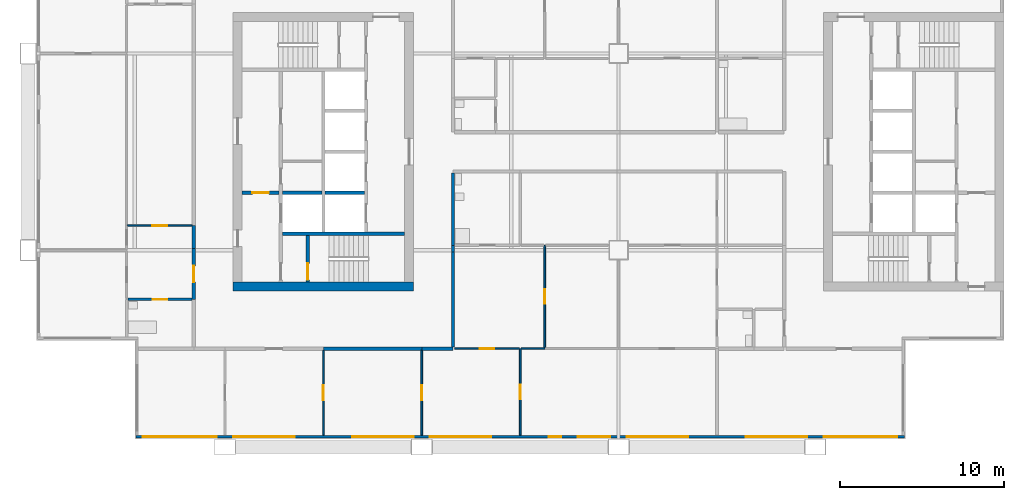
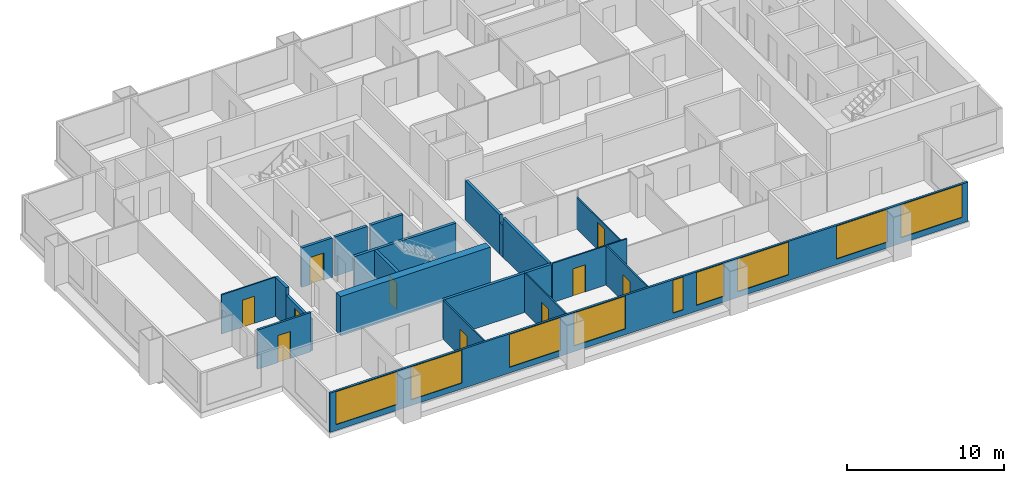
# One storey, part 2 of 9: 22 walls, 10 doors, 9 windows, 19 openings.
"""IFC4 building model written with IfcOpenShell, lengths in metres."""

from ifc_helpers import new_model, si_unit, direction, frame, frame_2d, origin, place, context, subcontext, project, spatial, rectangle, extrude, material, layer, layer_set, type_object, element, fill, save


model = new_model("IFC4")

# Units and contexts
model_context = context("Model", 3, precision=1e-05, world=origin(), true_north=direction((0.0, 1.0)))
body_context = subcontext(model_context, "Body", "Model", "MODEL_VIEW")
ifc_project = project(units=[si_unit("LENGTHUNIT", "METRE"), si_unit("AREAUNIT", "SQUARE_METRE"), si_unit("VOLUMEUNIT", "CUBIC_METRE"), si_unit("PLANEANGLEUNIT", "RADIAN"), si_unit("MASSUNIT", "GRAM", prefix="KILO")], contexts=[model_context])

# Site, building, storey
site_placement = place(None, origin())
site = spatial("IfcSite", under=ifc_project, at=site_placement, CompositionType="ELEMENT")
building_placement = place(site_placement, origin())
building = spatial("IfcBuilding", under=site, at=building_placement, Name="Kitamizu Gate Tower and Museum", CompositionType="ELEMENT")
storey_placement = place(building_placement, frame((0.0, 0.0, 182.39990234375)))
storey = spatial("IfcBuildingStorey", under=building, at=storey_placement, Name="L48", CompositionType="ELEMENT", Elevation=182.39990234375)

# Wall
ifc_material_1 = material(Name="Concrete Fc42", Category="concrete")
ifc_layer_1 = layer(ifc_material_1, 0.550048828125)
ifc_layer_set_1 = layer_set([ifc_layer_1], Name="Concrete Fc42")
wall_type_1 = type_object("IfcWallType", Name="Core wall 550", PredefinedType="SHEAR", material=ifc_layer_set_1)
wall_1_placement = place(storey_placement, frame((12.5, 21.77490234375, 0.0), z_axis=(0.0, 0.0, 1.0), x_axis=(1.0, 0.0, 0.0)))
element("IfcWall", 1, at=wall_1_placement, inside=storey, type_object=wall_type_1, Name="Core wall WS", PredefinedType="SHEAR", context=body_context, shape_type="SweptSolid", body=[
    extrude(rectangle(XDim=11.0, YDim=0.550048828125, at=frame_2d((5.5, 0.0))), origin(), (0.0, 0.0, 1.0), 3.050048828125),
])

# Wall, opening, door
ifc_material_2 = material(Name="Gypsum board on galvanised stud")
ifc_layer_2 = layer(ifc_material_2, 0.10009765625)
ifc_layer_set_2 = layer_set([ifc_layer_2], Name="Gypsum board on galvanised stud")
wall_type_2 = type_object("IfcWallType", Name="Partition 100 NOT RATED", PredefinedType="PARTITIONING", material=ifc_layer_set_2)
wall_2_placement = place(storey_placement, frame((18.0, 12.719970703125, 0.0), z_axis=(0.0, 0.0, 1.0), x_axis=(0.0, 1.0, 0.0)))
wall_2 = element("IfcWall", 2, at=wall_2_placement, inside=storey, type_object=wall_type_2, Name="Partition L48-004", PredefinedType="PARTITIONING", context=body_context, shape_type="SweptSolid", body=[
    extrude(rectangle(XDim=5.179931640625, YDim=0.10009765625, at=frame_2d((2.58984375, 0.0))), origin(), (0.0, 0.0, 1.0), 3.050048828125),
])
opening_1_placement = place(wall_2_placement, frame((2.139892578125, 0.0, 0.0)))
opening_1 = element("IfcOpeningElement", 3, at=opening_1_placement, cuts=wall_2, Name="Opening L48-003", PredefinedType="OPENING", context=body_context, shape_type="SweptSolid", body=[
    extrude(rectangle(XDim=0.89990234375, YDim=2.10009765625, at=frame_2d((0.449951171875, 1.050048828125))), frame((0.0, 0.06005859375, 0.0), z_axis=(0.0, -1.0, 0.0), x_axis=(1.0, 0.0, 0.0)), (0.0, 0.0, 1.0), 0.1201171875),
])
ifc_material_3 = material(Name="Timber door set", Category="wood")
door_type_1 = type_object("IfcDoorType", Name="Room door 900", OperationType="NOTDEFINED", PredefinedType="DOOR", material=ifc_material_3)
door_1_placement = place(opening_1_placement, frame((0.89990234375, 0.0, 0.0), x_axis=(-1.0, 0.0, 0.0)))
door_1 = element("IfcDoor", 4, at=door_1_placement, inside=storey, type_object=door_type_1, Name="Door L48-003", OperationType="SINGLE_SWING_LEFT", OverallHeight=2.10009765625, OverallWidth=0.89990234375, PredefinedType="DOOR", context=body_context, shape_type="SweptSolid", body=[
    extrude(rectangle(XDim=0.89990234375, YDim=2.10009765625, at=frame_2d((0.449951171875, 1.050048828125))), frame((0.0, 0.02490234375, 0.0), z_axis=(0.0, -1.0, 0.0), x_axis=(1.0, 0.0, 0.0)), (0.0, 0.0, 1.0), 0.050048828125),
])
fill(opening_1, door_1)

wall_3_placement = place(storey_placement, frame((24.0, 12.719970703125, 0.0), z_axis=(0.0, 0.0, 1.0), x_axis=(0.0, 1.0, 0.0)))
wall_3 = element("IfcWall", 5, at=wall_3_placement, inside=storey, type_object=wall_type_2, Name="Partition L48-006", PredefinedType="PARTITIONING", context=body_context, shape_type="SweptSolid", body=[
    extrude(rectangle(XDim=5.179931640625, YDim=0.10009765625, at=frame_2d((2.58984375, 0.0))), origin(), (0.0, 0.0, 1.0), 3.050048828125),
])
opening_2_placement = place(wall_3_placement, frame((2.139892578125, 0.0, 0.0)))
opening_2 = element("IfcOpeningElement", 6, at=opening_2_placement, cuts=wall_3, Name="Opening L48-004", PredefinedType="OPENING", context=body_context, shape_type="SweptSolid", body=[
    extrude(rectangle(XDim=0.89990234375, YDim=2.10009765625, at=frame_2d((0.449951171875, 1.050048828125))), frame((0.0, 0.06005859375, 0.0), z_axis=(0.0, -1.0, 0.0), x_axis=(1.0, 0.0, 0.0)), (0.0, 0.0, 1.0), 0.1201171875),
])
door_2_placement = place(opening_2_placement, origin())
door_2 = element("IfcDoor", 7, at=door_2_placement, inside=storey, type_object=door_type_1, Name="Door L48-004", OperationType="SINGLE_SWING_LEFT", OverallHeight=2.10009765625, OverallWidth=0.89990234375, PredefinedType="DOOR", context=body_context, shape_type="SweptSolid", body=[
    extrude(rectangle(XDim=0.89990234375, YDim=2.10009765625, at=frame_2d((0.449951171875, 1.050048828125))), frame((0.0, 0.02490234375, 0.0), z_axis=(0.0, -1.0, 0.0), x_axis=(1.0, 0.0, 0.0)), (0.0, 0.0, 1.0), 0.050048828125),
])
fill(opening_2, door_2)

wall_4_placement = place(storey_placement, frame((30.0, 12.719970703125, 0.0), z_axis=(0.0, 0.0, 1.0), x_axis=(0.0, 1.0, 0.0)))
wall_4 = element("IfcWall", 8, at=wall_4_placement, inside=storey, type_object=wall_type_2, Name="Partition L48-008", PredefinedType="PARTITIONING", context=body_context, shape_type="SweptSolid", body=[
    extrude(rectangle(XDim=5.280029296875, YDim=0.10009765625, at=frame_2d((2.64013671875, 0.0))), origin(), (0.0, 0.0, 1.0), 3.050048828125),
])
opening_3_placement = place(wall_4_placement, frame((2.18994140625, 0.0, 0.0)))
opening_3 = element("IfcOpeningElement", 9, at=opening_3_placement, cuts=wall_4, Name="Opening L48-005", PredefinedType="OPENING", context=body_context, shape_type="SweptSolid", body=[
    extrude(rectangle(XDim=0.89990234375, YDim=2.10009765625, at=frame_2d((0.449951171875, 1.050048828125))), frame((0.0, 0.06005859375, 0.0), z_axis=(0.0, -1.0, 0.0), x_axis=(1.0, 0.0, 0.0)), (0.0, 0.0, 1.0), 0.1201171875),
])
door_3_placement = place(opening_3_placement, origin())
door_3 = element("IfcDoor", 10, at=door_3_placement, inside=storey, type_object=door_type_1, Name="Door L48-005", OperationType="SINGLE_SWING_RIGHT", OverallHeight=2.10009765625, OverallWidth=0.89990234375, PredefinedType="DOOR", context=body_context, shape_type="SweptSolid", body=[
    extrude(rectangle(XDim=0.89990234375, YDim=2.10009765625, at=frame_2d((0.449951171875, 1.050048828125))), frame((0.0, 0.02490234375, 0.0), z_axis=(0.0, -1.0, 0.0), x_axis=(1.0, 0.0, 0.0)), (0.0, 0.0, 1.0), 0.050048828125),
])
fill(opening_3, door_3)

wall_5_placement = place(storey_placement, frame((29.949951171875, 18.0, 0.0), z_axis=(0.0, 0.0, 1.0), x_axis=(-1.0, 0.0, 0.0)))
wall_5 = element("IfcWall", 11, at=wall_5_placement, inside=storey, type_object=wall_type_2, Name="Partition L48-009", PredefinedType="PARTITIONING", context=body_context, shape_type="SweptSolid", body=[
    extrude(rectangle(XDim=3.949951171875, YDim=0.10009765625, at=frame_2d((1.97509765625, 0.0))), origin(), (0.0, 0.0, 1.0), 3.050048828125),
])
opening_4_placement = place(wall_5_placement, frame((1.52490234375, 0.0, 0.0)))
opening_4 = element("IfcOpeningElement", 12, at=opening_4_placement, cuts=wall_5, Name="Opening L48-006", PredefinedType="OPENING", context=body_context, shape_type="SweptSolid", body=[
    extrude(rectangle(XDim=0.89990234375, YDim=2.10009765625, at=frame_2d((0.449951171875, 1.050048828125))), frame((0.0, 0.06005859375, 0.0), z_axis=(0.0, -1.0, 0.0), x_axis=(1.0, 0.0, 0.0)), (0.0, 0.0, 1.0), 0.1201171875),
])
door_4_placement = place(opening_4_placement, origin())
door_4 = element("IfcDoor", 13, at=door_4_placement, inside=storey, type_object=door_type_1, Name="Door L48-006", OperationType="SINGLE_SWING_LEFT", OverallHeight=2.10009765625, OverallWidth=0.89990234375, PredefinedType="DOOR", context=body_context, shape_type="SweptSolid", body=[
    extrude(rectangle(XDim=0.89990234375, YDim=2.10009765625, at=frame_2d((0.449951171875, 1.050048828125))), frame((0.0, 0.02490234375, 0.0), z_axis=(0.0, -1.0, 0.0), x_axis=(1.0, 0.0, 0.0)), (0.0, 0.0, 1.0), 0.050048828125),
])
fill(opening_4, door_4)

# Wall
wall_6_placement = place(storey_placement, frame((31.5, 18.0, 0.0), z_axis=(0.0, 0.0, 1.0), x_axis=(-1.0, 0.0, 0.0)))
element("IfcWall", 14, at=wall_6_placement, inside=storey, type_object=wall_type_2, Name="Partition L48-011", PredefinedType="PARTITIONING", context=body_context, shape_type="SweptSolid", body=[
    extrude(rectangle(XDim=1.449951171875, YDim=0.10009765625, at=frame_2d((0.72509765625, 0.0))), origin(), (0.0, 0.0, 1.0), 3.050048828125),
])

# Wall, opening, door
wall_7_placement = place(storey_placement, frame((31.5, 18.050048828125, 0.0), z_axis=(0.0, 0.0, 1.0), x_axis=(0.0, 1.0, 0.0)))
wall_7 = element("IfcWall", 15, at=wall_7_placement, inside=storey, type_object=wall_type_2, Name="Partition L48-015", PredefinedType="PARTITIONING", context=body_context, shape_type="SweptSolid", body=[
    extrude(rectangle(XDim=6.25, YDim=0.10009765625, at=frame_2d((3.125, 0.0))), origin(), (0.0, 0.0, 1.0), 2.4501953125),
])
opening_5_placement = place(wall_7_placement, frame((2.675048828125, 0.0, 0.0)))
opening_5 = element("IfcOpeningElement", 16, at=opening_5_placement, cuts=wall_7, Name="Opening L48-007", PredefinedType="OPENING", context=body_context, shape_type="SweptSolid", body=[
    extrude(rectangle(XDim=0.89990234375, YDim=2.10009765625, at=frame_2d((0.449951171875, 1.050048828125))), frame((0.0, 0.06005859375, 0.0), z_axis=(0.0, -1.0, 0.0), x_axis=(1.0, 0.0, 0.0)), (0.0, 0.0, 1.0), 0.1201171875),
])
door_5_placement = place(opening_5_placement, frame((0.89990234375, 0.0, 0.0), x_axis=(-1.0, 0.0, 0.0)))
door_5 = element("IfcDoor", 17, at=door_5_placement, inside=storey, type_object=door_type_1, Name="Door L48-007", OperationType="SINGLE_SWING_LEFT", OverallHeight=2.10009765625, OverallWidth=0.89990234375, PredefinedType="DOOR", context=body_context, shape_type="SweptSolid", body=[
    extrude(rectangle(XDim=0.89990234375, YDim=2.10009765625, at=frame_2d((0.449951171875, 1.050048828125))), frame((0.0, 0.02490234375, 0.0), z_axis=(0.0, -1.0, 0.0), x_axis=(1.0, 0.0, 0.0)), (0.0, 0.0, 1.0), 0.050048828125),
])
fill(opening_5, door_5)

wall_8_placement = place(storey_placement, frame((10.0, 25.5, 0.0), z_axis=(0.0, 0.0, 1.0), x_axis=(-1.0, 0.0, 0.0)))
wall_8 = element("IfcWall", 18, at=wall_8_placement, inside=storey, type_object=wall_type_2, Name="Partition L48-089", PredefinedType="PARTITIONING", context=body_context, shape_type="SweptSolid", body=[
    extrude(rectangle(XDim=3.949951171875, YDim=0.10009765625, at=frame_2d((1.97509765625, 0.0))), origin(), (0.0, 0.0, 1.0), 3.050048828125),
])
opening_6_placement = place(wall_8_placement, frame((1.52490234375, 0.0, 0.0)))
opening_6 = element("IfcOpeningElement", 19, at=opening_6_placement, cuts=wall_8, Name="Opening L48-031", PredefinedType="OPENING", context=body_context, shape_type="SweptSolid", body=[
    extrude(rectangle(XDim=0.89990234375, YDim=2.10009765625, at=frame_2d((0.449951171875, 1.050048828125))), frame((0.0, 0.06005859375, 0.0), z_axis=(0.0, -1.0, 0.0), x_axis=(1.0, 0.0, 0.0)), (0.0, 0.0, 1.0), 0.1201171875),
])
door_6_placement = place(opening_6_placement, origin())
door_6 = element("IfcDoor", 20, at=door_6_placement, inside=storey, type_object=door_type_1, Name="Door L48-031", OperationType="SINGLE_SWING_LEFT", OverallHeight=2.10009765625, OverallWidth=0.89990234375, PredefinedType="DOOR", context=body_context, shape_type="SweptSolid", body=[
    extrude(rectangle(XDim=0.89990234375, YDim=2.10009765625, at=frame_2d((0.449951171875, 1.050048828125))), frame((0.0, 0.02490234375, 0.0), z_axis=(0.0, -1.0, 0.0), x_axis=(1.0, 0.0, 0.0)), (0.0, 0.0, 1.0), 0.050048828125),
])
fill(opening_6, door_6)

ifc_material_4 = material(Name="Gypsum board on galvanised stud")
ifc_layer_3 = layer(ifc_material_4, 0.14990234375)
ifc_layer_set_3 = layer_set([ifc_layer_3], Name="Gypsum board on galvanised stud")
wall_type_3 = type_object("IfcWallType", Name="Partition 150", PredefinedType="PARTITIONING", material=ifc_layer_set_3)
wall_9_placement = place(storey_placement, frame((10.0, 21.0, 0.0), z_axis=(0.0, 0.0, 1.0), x_axis=(-1.0, 0.0, 0.0)))
wall_9 = element("IfcWall", 21, at=wall_9_placement, inside=storey, type_object=wall_type_3, Name="Partition L48-087", PredefinedType="PARTITIONING", context=body_context, shape_type="SweptSolid", body=[
    extrude(rectangle(XDim=3.925048828125, YDim=0.14990234375, at=frame_2d((1.96240234375, 0.0))), origin(), (0.0, 0.0, 1.0), 3.050048828125),
])
opening_7_placement = place(wall_9_placement, frame((1.512451171875, 0.0, 0.0)))
opening_7 = element("IfcOpeningElement", 22, at=opening_7_placement, cuts=wall_9, Name="Opening L48-033", PredefinedType="OPENING", context=body_context, shape_type="SweptSolid", body=[
    extrude(rectangle(XDim=0.89990234375, YDim=2.10009765625, at=frame_2d((0.449951171875, 1.050048828125))), frame((0.0, 0.0849609375, 0.0), z_axis=(0.0, -1.0, 0.0), x_axis=(1.0, 0.0, 0.0)), (0.0, 0.0, 1.0), 0.169921875),
])
ifc_material_5 = material(Name="Timber door set", Category="wood")
door_type_2 = type_object("IfcDoorType", Name="Bathroom door 900", OperationType="NOTDEFINED", PredefinedType="DOOR", material=ifc_material_5)
door_7_placement = place(opening_7_placement, origin())
door_7 = element("IfcDoor", 23, at=door_7_placement, inside=storey, type_object=door_type_2, Name="Bathroom door L48-033", OperationType="SINGLE_SWING_LEFT", OverallHeight=2.10009765625, OverallWidth=0.89990234375, PredefinedType="DOOR", context=body_context, shape_type="SweptSolid", body=[
    extrude(rectangle(XDim=0.89990234375, YDim=2.10009765625, at=frame_2d((0.449951171875, 1.050048828125))), frame((0.0, 0.02490234375, 0.0), z_axis=(0.0, -1.0, 0.0), x_axis=(1.0, 0.0, 0.0)), (0.0, 0.0, 1.0), 0.050048828125),
])
fill(opening_7, door_7)

# Walls
ifc_material_6 = material(Name="Gypsum board on galvanised stud")
ifc_layer_4 = layer(ifc_material_6, 0.199951171875)
ifc_layer_set_4 = layer_set([ifc_layer_4], Name="Gypsum board on galvanised stud")
wall_type_4 = type_object("IfcWallType", Name="Partition 200", PredefinedType="PARTITIONING", material=ifc_layer_set_4)
wall_10_placement = place(storey_placement, frame((24.0, 18.0, 0.0), z_axis=(0.0, 0.0, 1.0), x_axis=(-1.0, 0.0, 0.0)))
element("IfcWall", 24, at=wall_10_placement, inside=storey, type_object=wall_type_4, Name="Partition L48-007", PredefinedType="PARTITIONING", context=body_context, shape_type="SweptSolid", body=[
    extrude(rectangle(XDim=6.0, YDim=0.199951171875, at=frame_2d((3.0, 0.0))), origin(), (0.0, 0.0, 1.0), 3.050048828125),
])
wall_11_placement = place(storey_placement, frame((25.89990234375, 18.0, 0.0), z_axis=(0.0, 0.0, 1.0), x_axis=(-1.0, 0.0, 0.0)))
element("IfcWall", 25, at=wall_11_placement, inside=storey, type_object=wall_type_4, Name="Partition L48-010", PredefinedType="PARTITIONING", context=body_context, shape_type="SweptSolid", body=[
    extrude(rectangle(XDim=1.89990234375, YDim=0.199951171875, at=frame_2d((0.949951171875, 0.0))), origin(), (0.0, 0.0, 1.0), 3.050048828125),
])
wall_12_placement = place(storey_placement, frame((25.89990234375, 24.300048828125, 0.0), z_axis=(0.0, 0.0, 1.0), x_axis=(0.0, -1.0, 0.0)))
element("IfcWall", 26, at=wall_12_placement, inside=storey, type_object=wall_type_4, Name="Partition L48-018", PredefinedType="PARTITIONING", context=body_context, shape_type="SweptSolid", body=[
    extrude(rectangle(XDim=0.400146484375, YDim=0.199951171875, at=frame_2d((0.2001953125, 0.0))), origin(), (0.0, 0.0, 1.0), 2.4501953125),
])
wall_13_placement = place(storey_placement, frame((25.89990234375, 23.89990234375, 0.0), z_axis=(0.0, 0.0, 1.0), x_axis=(0.0, -1.0, 0.0)))
element("IfcWall", 27, at=wall_13_placement, inside=storey, type_object=wall_type_4, Name="Partition L48-019", PredefinedType="PARTITIONING", context=body_context, shape_type="SweptSolid", body=[
    extrude(rectangle(XDim=5.7998046875, YDim=0.199951171875, at=frame_2d((2.89990234375, 0.0))), origin(), (0.0, 0.0, 1.0), 3.050048828125),
])
wall_14_placement = place(storey_placement, frame((25.89990234375, 28.699951171875, 0.0), z_axis=(0.0, 0.0, 1.0), x_axis=(0.0, -1.0, 0.0)))
element("IfcWall", 28, at=wall_14_placement, inside=storey, type_object=wall_type_4, Name="Partition L48-027", PredefinedType="PARTITIONING", context=body_context, shape_type="SweptSolid", body=[
    extrude(rectangle(XDim=4.39990234375, YDim=0.199951171875, at=frame_2d((2.199951171875, 0.0))), origin(), (0.0, 0.0, 1.0), 3.050048828125),
])

# Wall, opening, door
wall_15_placement = place(storey_placement, frame((10.10009765625, 21.0, 0.0), z_axis=(0.0, 0.0, 1.0), x_axis=(0.0, 1.0, 0.0)))
wall_15 = element("IfcWall", 29, at=wall_15_placement, inside=storey, type_object=wall_type_4, Name="Partition L48-090", PredefinedType="PARTITIONING", context=body_context, shape_type="SweptSolid", body=[
    extrude(rectangle(XDim=3.10009765625, YDim=0.199951171875, at=frame_2d((1.550048828125, 0.0))), origin(), (0.0, 0.0, 1.0), 2.4501953125),
])
opening_8_placement = place(wall_15_placement, frame((1.050048828125, 0.0, 0.0)))
opening_8 = element("IfcOpeningElement", 30, at=opening_8_placement, cuts=wall_15, Name="Opening L48-028", PredefinedType="OPENING", context=body_context, shape_type="SweptSolid", body=[
    extrude(rectangle(XDim=1.0, YDim=2.10009765625, at=frame_2d((0.5, 1.050048828125))), frame((0.0, 0.10986328125, 0.0), z_axis=(0.0, -1.0, 0.0), x_axis=(1.0, 0.0, 0.0)), (0.0, 0.0, 1.0), 0.219970703125),
])
ifc_material_7 = material(Name="Timber door set", Category="wood")
door_type_3 = type_object("IfcDoorType", Name="Flat entrance door 1000", OperationType="NOTDEFINED", PredefinedType="DOOR", material=ifc_material_7)
door_8_placement = place(opening_8_placement, origin())
door_8 = element("IfcDoor", 31, at=door_8_placement, inside=storey, type_object=door_type_3, Name="Flat entrance door L48-028", OperationType="SINGLE_SWING_RIGHT", OverallHeight=2.10009765625, OverallWidth=1.0, PredefinedType="DOOR", context=body_context, shape_type="SweptSolid", body=[
    extrude(rectangle(XDim=1.0, YDim=2.10009765625, at=frame_2d((0.5, 1.050048828125))), frame((0.0, 0.02490234375, 0.0), z_axis=(0.0, -1.0, 0.0), x_axis=(1.0, 0.0, 0.0)), (0.0, 0.0, 1.0), 0.050048828125),
])
fill(opening_8, door_8)

# Walls
wall_16_placement = place(storey_placement, frame((10.10009765625, 24.10009765625, 0.0), z_axis=(0.0, 0.0, 1.0), x_axis=(0.0, 1.0, 0.0)))
element("IfcWall", 32, at=wall_16_placement, inside=storey, type_object=wall_type_4, Name="Partition L48-091", PredefinedType="PARTITIONING", context=body_context, shape_type="SweptSolid", body=[
    extrude(rectangle(XDim=1.39990234375, YDim=0.199951171875, at=frame_2d((0.699951171875, 0.0))), origin(), (0.0, 0.0, 1.0), 3.050048828125),
])
ifc_material_8 = material(Name="Concrete Fc42", Category="concrete")
ifc_layer_5 = layer(ifc_material_8, 0.199951171875)
ifc_layer_set_5 = layer_set([ifc_layer_5], Name="Concrete Fc42")
wall_type_5 = type_object("IfcWallType", Name="Shaft wall 200", PredefinedType="SOLIDWALL", material=ifc_layer_set_5)
wall_17_placement = place(storey_placement, frame((15.5, 25.0, 0.0), z_axis=(0.0, 0.0, 1.0), x_axis=(1.0, 0.0, 0.0)))
element("IfcWall", 33, at=wall_17_placement, inside=storey, type_object=wall_type_5, Name="Shaft wall WSB", PredefinedType="SOLIDWALL", context=body_context, shape_type="SweptSolid", body=[
    extrude(rectangle(XDim=7.449951171875, YDim=0.199951171875, at=frame_2d((3.72509765625, 0.0))), origin(), (0.0, 0.0, 1.0), 3.050048828125),
])

# Wall, opening, door
wall_18_placement = place(storey_placement, frame((13.050048828125, 27.5, 0.0), z_axis=(0.0, 0.0, 1.0), x_axis=(1.0, 0.0, 0.0)))
wall_18 = element("IfcWall", 34, at=wall_18_placement, inside=storey, type_object=wall_type_5, Name="Shaft wall WFFN", PredefinedType="SOLIDWALL", context=body_context, shape_type="SweptSolid", body=[
    extrude(rectangle(XDim=2.25, YDim=0.199951171875, at=frame_2d((1.125, 0.0))), origin(), (0.0, 0.0, 1.0), 3.050048828125),
])
opening_9_placement = place(wall_18_placement, frame((0.625, 0.0, 0.0)))
opening_9 = element("IfcOpeningElement", 35, at=opening_9_placement, cuts=wall_18, Name="Opening L48-045", PredefinedType="OPENING", context=body_context, shape_type="SweptSolid", body=[
    extrude(rectangle(XDim=1.0, YDim=2.10009765625, at=frame_2d((0.5, 1.050048828125))), frame((0.0, 0.10986328125, 0.0), z_axis=(0.0, -1.0, 0.0), x_axis=(1.0, 0.0, 0.0)), (0.0, 0.0, 1.0), 0.219970703125),
])
ifc_material_9 = material(Name="Hollow metal door set")
door_type_4 = type_object("IfcDoorType", Name="Fire door 1000", OperationType="NOTDEFINED", PredefinedType="DOOR", material=ifc_material_9)
door_9_placement = place(opening_9_placement, frame((1.0, 0.0, 0.0), x_axis=(-1.0, 0.0, 0.0)))
door_9 = element("IfcDoor", 36, at=door_9_placement, inside=storey, type_object=door_type_4, Name="Fire-fighting lobby door L48-045", OperationType="SINGLE_SWING_RIGHT", OverallHeight=2.10009765625, OverallWidth=1.0, PredefinedType="DOOR", context=body_context, shape_type="SweptSolid", body=[
    extrude(rectangle(XDim=1.0, YDim=2.10009765625, at=frame_2d((0.5, 1.050048828125))), frame((0.0, 0.02490234375, 0.0), z_axis=(0.0, -1.0, 0.0), x_axis=(1.0, 0.0, 0.0)), (0.0, 0.0, 1.0), 0.050048828125),
])
fill(opening_9, door_9)

wall_19_placement = place(storey_placement, frame((17.050048828125, 22.050048828125, 0.0), z_axis=(0.0, 0.0, 1.0), x_axis=(0.0, 1.0, 0.0)))
wall_19 = element("IfcWall", 37, at=wall_19_placement, inside=storey, type_object=wall_type_5, Name="Shaft wall WSZ", PredefinedType="SOLIDWALL", context=body_context, shape_type="SweptSolid", body=[
    extrude(rectangle(XDim=2.849853515625, YDim=0.199951171875, at=frame_2d((1.4248046875, 0.0))), origin(), (0.0, 0.0, 1.0), 3.050048828125),
])
opening_10_placement = place(wall_19_placement, frame((0.14990234375, 0.0, 0.0)))
opening_10 = element("IfcOpeningElement", 38, at=opening_10_placement, cuts=wall_19, Name="Opening L48-041", PredefinedType="OPENING", context=body_context, shape_type="SweptSolid", body=[
    extrude(rectangle(XDim=1.0, YDim=2.10009765625, at=frame_2d((0.5, 1.050048828125))), frame((0.0, 0.10986328125, 0.0), z_axis=(0.0, -1.0, 0.0), x_axis=(1.0, 0.0, 0.0)), (0.0, 0.0, 1.0), 0.219970703125),
])
door_10_placement = place(opening_10_placement, frame((1.0, 0.0, 0.0), x_axis=(-1.0, 0.0, 0.0)))
door_10 = element("IfcDoor", 39, at=door_10_placement, inside=storey, type_object=door_type_4, Name="Stair door L48-041", OperationType="SINGLE_SWING_LEFT", OverallHeight=2.10009765625, OverallWidth=1.0, PredefinedType="DOOR", context=body_context, shape_type="SweptSolid", body=[
    extrude(rectangle(XDim=1.0, YDim=2.10009765625, at=frame_2d((0.5, 1.050048828125))), frame((0.0, 0.02490234375, 0.0), z_axis=(0.0, -1.0, 0.0), x_axis=(1.0, 0.0, 0.0)), (0.0, 0.0, 1.0), 0.050048828125),
])
fill(opening_10, door_10)

# Walls
for number, where, z_axis, x_axis, name in (
    (40, (15.5, 27.5, 0.0), (0.0, 0.0, 1.0), (1.0, 0.0, 0.0), "Shaft wall WDVW0"),
    (41, (18.10009765625, 27.5, 0.0), (0.0, 0.0, 1.0), (1.0, 0.0, 0.0), "Shaft wall WDVE0"),
):
    element("IfcWall", number, at=place(storey_placement, frame(where, z_axis=z_axis, x_axis=x_axis)), inside=storey, type_object=wall_type_5, Name=name, PredefinedType="SOLIDWALL", context=body_context, shape_type="SweptSolid", body=[
        extrude(rectangle(XDim=2.39990234375, YDim=0.199951171875, at=frame_2d((1.199951171875, 0.0))), origin(), (0.0, 0.0, 1.0), 3.050048828125),
    ])

# Wall, openings, windows
ifc_material_10 = material(Name="Bronze anodised aluminium frame with insulated spandrel and tinted glass", Category="aluminium")
ifc_layer_6 = layer(ifc_material_10, 0.14990234375)
ifc_layer_set_6 = layer_set([ifc_layer_6], Name="Bronze anodised aluminium frame with insulated spandrel and tinted glass")
wall_type_6 = type_object("IfcWallType", Name="WINDOW WALL 150 BRONZE FRAME EI 30", PredefinedType="ELEMENTEDWALL", material=ifc_layer_set_6)
wall_20_placement = place(storey_placement, frame((6.56005859375, 12.635009765625, 0.0), z_axis=(0.0, 0.0, 1.0), x_axis=(1.0, 0.0, 0.0)))
wall_20 = element("IfcWall", 42, at=wall_20_placement, inside=storey, type_object=wall_type_6, Name="Window wall south L48", PredefinedType="ELEMENTEDWALL", context=body_context, shape_type="SweptSolid", body=[
    extrude(rectangle(XDim=46.8798828125, YDim=0.14990234375, at=frame_2d((23.43994140625, 0.0))), origin(), (0.0, 0.0, 1.0), 3.050048828125),
])
opening_11_placement = place(wall_20_placement, frame((0.43994140625, 0.0, 0.449951171875)))
opening_11 = element("IfcOpeningElement", 43, at=opening_11_placement, cuts=wall_20, Name="Opening W15", PredefinedType="OPENING", context=body_context, shape_type="SweptSolid", body=[
    extrude(rectangle(XDim=4.5, YDim=2.550048828125, at=frame_2d((2.25, 1.27490234375))), frame((0.0, 0.0849609375, 0.0), z_axis=(0.0, -1.0, 0.0), x_axis=(1.0, 0.0, 0.0)), (0.0, 0.0, 1.0), 0.169921875),
])
opening_12_placement = place(wall_20_placement, frame((5.93994140625, 0.0, 0.449951171875)))
opening_12 = element("IfcOpeningElement", 44, at=opening_12_placement, cuts=wall_20, Name="Opening W36", PredefinedType="OPENING", context=body_context, shape_type="SweptSolid", body=[
    extrude(rectangle(XDim=3.75, YDim=2.550048828125, at=frame_2d((1.875, 1.27490234375))), frame((0.0, 0.0849609375, 0.0), z_axis=(0.0, -1.0, 0.0), x_axis=(1.0, 0.0, 0.0)), (0.0, 0.0, 1.0), 0.169921875),
])
opening_13_placement = place(wall_20_placement, frame((13.18994140625, 0.0, 0.449951171875)))
opening_13 = element("IfcOpeningElement", 45, at=opening_13_placement, cuts=wall_20, Name="Opening W36", PredefinedType="OPENING", context=body_context, shape_type="SweptSolid", body=[
    extrude(rectangle(XDim=3.75, YDim=2.550048828125, at=frame_2d((1.875, 1.27490234375))), frame((0.0, 0.0849609375, 0.0), z_axis=(0.0, -1.0, 0.0), x_axis=(1.0, 0.0, 0.0)), (0.0, 0.0, 1.0), 0.169921875),
])
opening_14_placement = place(wall_20_placement, frame((17.93994140625, 0.0, 0.449951171875)))
opening_14 = element("IfcOpeningElement", 46, at=opening_14_placement, cuts=wall_20, Name="Opening W36", PredefinedType="OPENING", context=body_context, shape_type="SweptSolid", body=[
    extrude(rectangle(XDim=3.75, YDim=2.550048828125, at=frame_2d((1.875, 1.27490234375))), frame((0.0, 0.0849609375, 0.0), z_axis=(0.0, -1.0, 0.0), x_axis=(1.0, 0.0, 0.0)), (0.0, 0.0, 1.0), 0.169921875),
])
opening_15_placement = place(wall_20_placement, frame((25.18994140625, 0.0, 0.449951171875)))
opening_15 = element("IfcOpeningElement", 47, at=opening_15_placement, cuts=wall_20, Name="Opening W25", PredefinedType="OPENING", context=body_context, shape_type="SweptSolid", body=[
    extrude(rectangle(XDim=0.75, YDim=2.550048828125, at=frame_2d((0.375, 1.27490234375))), frame((0.0, 0.0849609375, 0.0), z_axis=(0.0, -1.0, 0.0), x_axis=(1.0, 0.0, 0.0)), (0.0, 0.0, 1.0), 0.169921875),
])
opening_16_placement = place(wall_20_placement, frame((26.93994140625, 0.0, 0.449951171875)))
opening_16 = element("IfcOpeningElement", 48, at=opening_16_placement, cuts=wall_20, Name="Opening W2", PredefinedType="OPENING", context=body_context, shape_type="SweptSolid", body=[
    extrude(rectangle(XDim=2.0, YDim=2.550048828125, at=frame_2d((1.0, 1.27490234375))), frame((0.0, 0.0849609375, 0.0), z_axis=(0.0, -1.0, 0.0), x_axis=(1.0, 0.0, 0.0)), (0.0, 0.0, 1.0), 0.169921875),
])
opening_17_placement = place(wall_20_placement, frame((29.93994140625, 0.0, 0.449951171875)))
opening_17 = element("IfcOpeningElement", 49, at=opening_17_placement, cuts=wall_20, Name="Opening W36", PredefinedType="OPENING", context=body_context, shape_type="SweptSolid", body=[
    extrude(rectangle(XDim=3.75, YDim=2.550048828125, at=frame_2d((1.875, 1.27490234375))), frame((0.0, 0.0849609375, 0.0), z_axis=(0.0, -1.0, 0.0), x_axis=(1.0, 0.0, 0.0)), (0.0, 0.0, 1.0), 0.169921875),
])
opening_18_placement = place(wall_20_placement, frame((37.18994140625, 0.0, 0.449951171875)))
opening_18 = element("IfcOpeningElement", 50, at=opening_18_placement, cuts=wall_20, Name="Opening W36", PredefinedType="OPENING", context=body_context, shape_type="SweptSolid", body=[
    extrude(rectangle(XDim=3.75, YDim=2.550048828125, at=frame_2d((1.875, 1.27490234375))), frame((0.0, 0.0849609375, 0.0), z_axis=(0.0, -1.0, 0.0), x_axis=(1.0, 0.0, 0.0)), (0.0, 0.0, 1.0), 0.169921875),
])
opening_19_placement = place(wall_20_placement, frame((41.93994140625, 0.0, 0.449951171875)))
opening_19 = element("IfcOpeningElement", 51, at=opening_19_placement, cuts=wall_20, Name="Opening W15", PredefinedType="OPENING", context=body_context, shape_type="SweptSolid", body=[
    extrude(rectangle(XDim=4.5, YDim=2.550048828125, at=frame_2d((2.25, 1.27490234375))), frame((0.0, 0.0849609375, 0.0), z_axis=(0.0, -1.0, 0.0), x_axis=(1.0, 0.0, 0.0)), (0.0, 0.0, 1.0), 0.169921875),
])
ifc_material_11 = material(Name="Bronze anodised aluminium frame, tinted triple glazing", Category="aluminium")
window_type_1 = type_object("IfcWindowType", Name="WINDOW 2000 x 2550 SILL 450", PartitioningType="SINGLE_PANEL", PredefinedType="WINDOW", material=ifc_material_11)
window_1_placement = place(opening_16_placement, origin())
window_1 = element("IfcWindow", 52, at=window_1_placement, inside=storey, type_object=window_type_1, Name="Window W2 L48", OverallHeight=2.550048828125, OverallWidth=2.0, PartitioningType="SINGLE_PANEL", PredefinedType="WINDOW", context=body_context, shape_type="SweptSolid", body=[
    extrude(rectangle(XDim=2.0, YDim=2.550048828125, at=frame_2d((1.0, 1.27490234375))), frame((0.0, 0.030029296875, 0.0), z_axis=(0.0, -1.0, 0.0), x_axis=(1.0, 0.0, 0.0)), (0.0, 0.0, 1.0), 0.06005859375),
])
fill(opening_16, window_1)
ifc_material_12 = material(Name="Bronze anodised aluminium frame, tinted triple glazing", Category="aluminium")
window_type_2 = type_object("IfcWindowType", Name="WINDOW 3750 x 2550 SILL 450", PartitioningType="SINGLE_PANEL", PredefinedType="WINDOW", material=ifc_material_12)
window_2_placement = place(opening_12_placement, origin())
window_2 = element("IfcWindow", 53, at=window_2_placement, inside=storey, type_object=window_type_2, Name="Window W36 L48", OverallHeight=2.550048828125, OverallWidth=3.75, PartitioningType="SINGLE_PANEL", PredefinedType="WINDOW", context=body_context, shape_type="SweptSolid", body=[
    extrude(rectangle(XDim=3.75, YDim=2.550048828125, at=frame_2d((1.875, 1.27490234375))), frame((0.0, 0.030029296875, 0.0), z_axis=(0.0, -1.0, 0.0), x_axis=(1.0, 0.0, 0.0)), (0.0, 0.0, 1.0), 0.06005859375),
])
fill(opening_12, window_2)
window_3_placement = place(opening_13_placement, origin())
window_3 = element("IfcWindow", 54, at=window_3_placement, inside=storey, type_object=window_type_2, Name="Window W36 L48", OverallHeight=2.550048828125, OverallWidth=3.75, PartitioningType="SINGLE_PANEL", PredefinedType="WINDOW", context=body_context, shape_type="SweptSolid", body=[
    extrude(rectangle(XDim=3.75, YDim=2.550048828125, at=frame_2d((1.875, 1.27490234375))), frame((0.0, 0.030029296875, 0.0), z_axis=(0.0, -1.0, 0.0), x_axis=(1.0, 0.0, 0.0)), (0.0, 0.0, 1.0), 0.06005859375),
])
fill(opening_13, window_3)
window_4_placement = place(opening_14_placement, origin())
window_4 = element("IfcWindow", 55, at=window_4_placement, inside=storey, type_object=window_type_2, Name="Window W36 L48", OverallHeight=2.550048828125, OverallWidth=3.75, PartitioningType="SINGLE_PANEL", PredefinedType="WINDOW", context=body_context, shape_type="SweptSolid", body=[
    extrude(rectangle(XDim=3.75, YDim=2.550048828125, at=frame_2d((1.875, 1.27490234375))), frame((0.0, 0.030029296875, 0.0), z_axis=(0.0, -1.0, 0.0), x_axis=(1.0, 0.0, 0.0)), (0.0, 0.0, 1.0), 0.06005859375),
])
fill(opening_14, window_4)
window_5_placement = place(opening_17_placement, origin())
window_5 = element("IfcWindow", 56, at=window_5_placement, inside=storey, type_object=window_type_2, Name="Window W36 L48", OverallHeight=2.550048828125, OverallWidth=3.75, PartitioningType="SINGLE_PANEL", PredefinedType="WINDOW", context=body_context, shape_type="SweptSolid", body=[
    extrude(rectangle(XDim=3.75, YDim=2.550048828125, at=frame_2d((1.875, 1.27490234375))), frame((0.0, 0.030029296875, 0.0), z_axis=(0.0, -1.0, 0.0), x_axis=(1.0, 0.0, 0.0)), (0.0, 0.0, 1.0), 0.06005859375),
])
fill(opening_17, window_5)
window_6_placement = place(opening_18_placement, origin())
window_6 = element("IfcWindow", 57, at=window_6_placement, inside=storey, type_object=window_type_2, Name="Window W36 L48", OverallHeight=2.550048828125, OverallWidth=3.75, PartitioningType="SINGLE_PANEL", PredefinedType="WINDOW", context=body_context, shape_type="SweptSolid", body=[
    extrude(rectangle(XDim=3.75, YDim=2.550048828125, at=frame_2d((1.875, 1.27490234375))), frame((0.0, 0.030029296875, 0.0), z_axis=(0.0, -1.0, 0.0), x_axis=(1.0, 0.0, 0.0)), (0.0, 0.0, 1.0), 0.06005859375),
])
fill(opening_18, window_6)
ifc_material_13 = material(Name="Bronze anodised aluminium frame, tinted triple glazing", Category="aluminium")
window_type_3 = type_object("IfcWindowType", Name="WINDOW 4500 x 2550 SILL 450", PartitioningType="SINGLE_PANEL", PredefinedType="WINDOW", material=ifc_material_13)
window_7_placement = place(opening_11_placement, origin())
window_7 = element("IfcWindow", 58, at=window_7_placement, inside=storey, type_object=window_type_3, Name="Window W15 L48", OverallHeight=2.550048828125, OverallWidth=4.5, PartitioningType="SINGLE_PANEL", PredefinedType="WINDOW", context=body_context, shape_type="SweptSolid", body=[
    extrude(rectangle(XDim=4.5, YDim=2.550048828125, at=frame_2d((2.25, 1.27490234375))), frame((0.0, 0.030029296875, 0.0), z_axis=(0.0, -1.0, 0.0), x_axis=(1.0, 0.0, 0.0)), (0.0, 0.0, 1.0), 0.06005859375),
])
fill(opening_11, window_7)
window_8_placement = place(opening_19_placement, origin())
window_8 = element("IfcWindow", 59, at=window_8_placement, inside=storey, type_object=window_type_3, Name="Window W15 L48", OverallHeight=2.550048828125, OverallWidth=4.5, PartitioningType="SINGLE_PANEL", PredefinedType="WINDOW", context=body_context, shape_type="SweptSolid", body=[
    extrude(rectangle(XDim=4.5, YDim=2.550048828125, at=frame_2d((2.25, 1.27490234375))), frame((0.0, 0.030029296875, 0.0), z_axis=(0.0, -1.0, 0.0), x_axis=(1.0, 0.0, 0.0)), (0.0, 0.0, 1.0), 0.06005859375),
])
fill(opening_19, window_8)
ifc_material_14 = material(Name="Bronze anodised aluminium frame, tinted triple glazing", Category="aluminium")
window_type_4 = type_object("IfcWindowType", Name="WINDOW 750 x 2550 SILL 450", PartitioningType="SINGLE_PANEL", PredefinedType="WINDOW", material=ifc_material_14)
window_9_placement = place(opening_15_placement, origin())
window_9 = element("IfcWindow", 60, at=window_9_placement, inside=storey, type_object=window_type_4, Name="Window W25 L48", OverallHeight=2.550048828125, OverallWidth=0.75, PartitioningType="SINGLE_PANEL", PredefinedType="WINDOW", context=body_context, shape_type="SweptSolid", body=[
    extrude(rectangle(XDim=0.75, YDim=2.550048828125, at=frame_2d((0.375, 1.27490234375))), frame((0.0, 0.030029296875, 0.0), z_axis=(0.0, -1.0, 0.0), x_axis=(1.0, 0.0, 0.0)), (0.0, 0.0, 1.0), 0.06005859375),
])
fill(opening_15, window_9)

save(model, "model.ifc")
